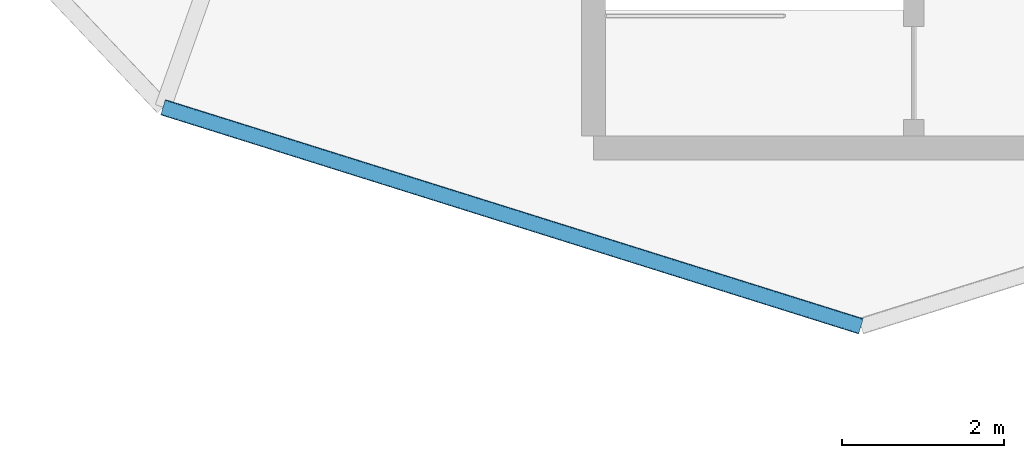
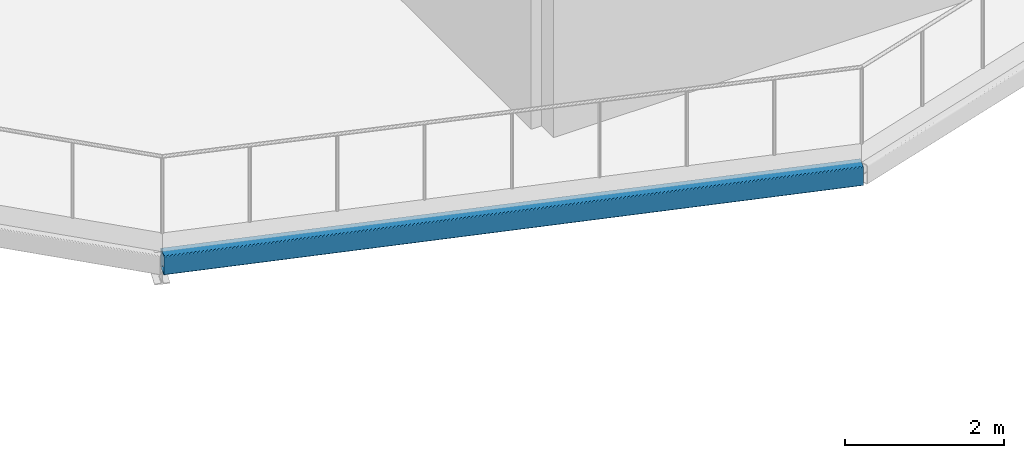
# One storey, part 59 of 123: 1 beam.
"""IFC4 building model written with IfcOpenShell, lengths in metres."""

from ifc_helpers import new_model, si_unit, direction, frame, origin, origin_2d, place, context, subcontext, project, spatial, hollow_rectangle, extrude, material, material_profile, profile_set, type_object, element, save


model = new_model("IFC4")

# Units and contexts
model_context = context("Model", 3, precision=1e-05, world=origin(), true_north=direction((0.0, 1.0)))
body_context = subcontext(model_context, "Body", "Model", "MODEL_VIEW")
ifc_project = project(units=[si_unit("LENGTHUNIT", "METRE"), si_unit("AREAUNIT", "SQUARE_METRE"), si_unit("VOLUMEUNIT", "CUBIC_METRE"), si_unit("PLANEANGLEUNIT", "RADIAN"), si_unit("MASSUNIT", "GRAM", prefix="KILO")], contexts=[model_context])

# Site, building, storey
site_placement = place(None, origin())
site = spatial("IfcSite", under=ifc_project, at=site_placement, CompositionType="ELEMENT")
building_placement = place(site_placement, origin())
building = spatial("IfcBuilding", under=site, at=building_placement, Name="Kildeholm Park Wholesale Market", CompositionType="ELEMENT")
storey_placement = place(building_placement, frame((0.0, 0.0, 9.60009765625)))
storey = spatial("IfcBuildingStorey", under=building, at=storey_placement, Name="L02", CompositionType="ELEMENT", Elevation=9.60009765625)

# Beam
ifc_material = material(Name="Steel S355", Category="steel")
ifc_material_profile = material_profile(ifc_material, hollow_rectangle(XDim=0.199951171875, YDim=0.300048828125, WallThickness=0.012451171875, InnerFilletRadius=0.012451171875, OuterFilletRadius=0.02490234375, at=origin_2d()), Name="RHS 300x200x12.5")
ifc_profile_set = profile_set([ifc_material_profile], Name="Steel S355")
beam_type = type_object("IfcBeamType", Name="Beam SP-01 RHS 300x200x12.5", PredefinedType="SPANDREL", material=ifc_profile_set)
beam_placement = place(storey_placement, frame((179.389892578125, 61.701904296875, -0.440185546875), z_axis=(0.954124515816, -0.299410100562, 0.0), x_axis=(0.299410100562, 0.954124515816, 0.0)))
element("IfcBeam", 1, at=beam_placement, inside=storey, type_object=beam_type, Name="Beam BM-V2-L02-CO-11 BM-0443", PredefinedType="SPANDREL", context=body_context, shape_type="SweptSolid", body=[
    extrude(hollow_rectangle(XDim=0.199951171875, YDim=0.300048828125, WallThickness=0.012451171875, InnerFilletRadius=0.012451171875, OuterFilletRadius=0.02490234375, at=origin_2d()), origin(), (0.0, 0.0, 1.0), 9.024169921875),
])

save(model, "model.ifc")
